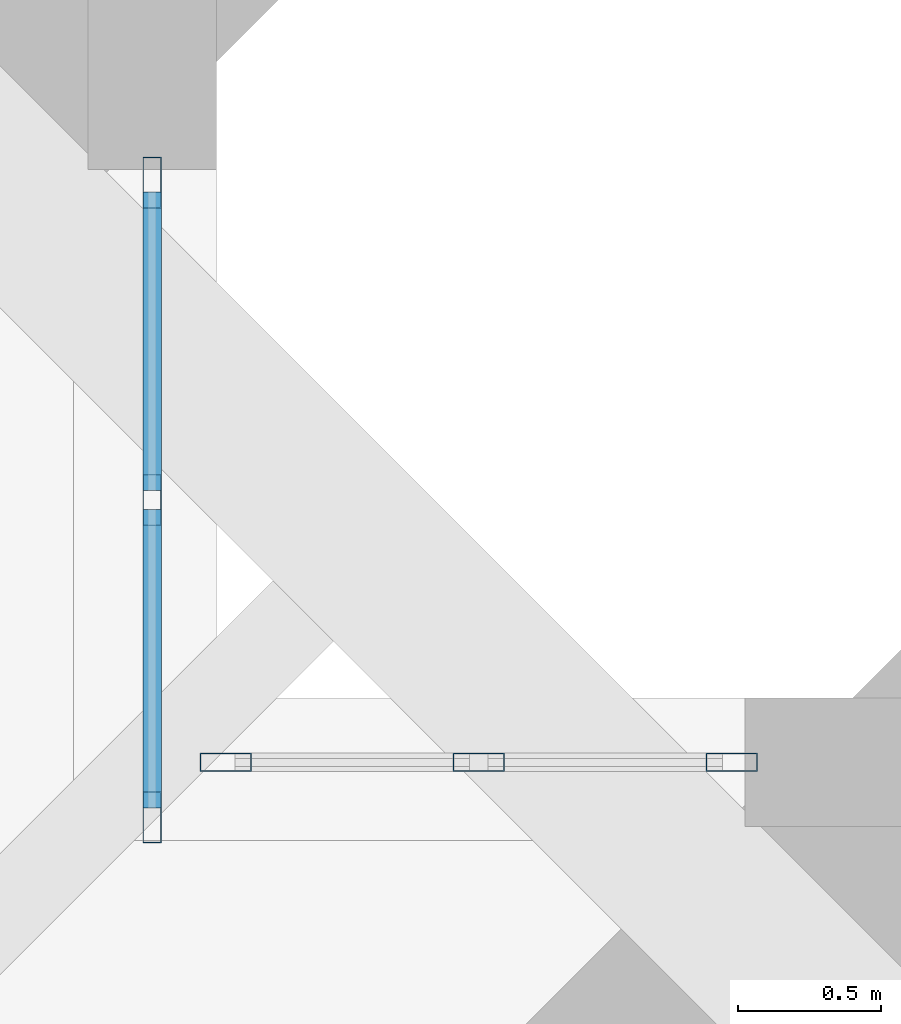
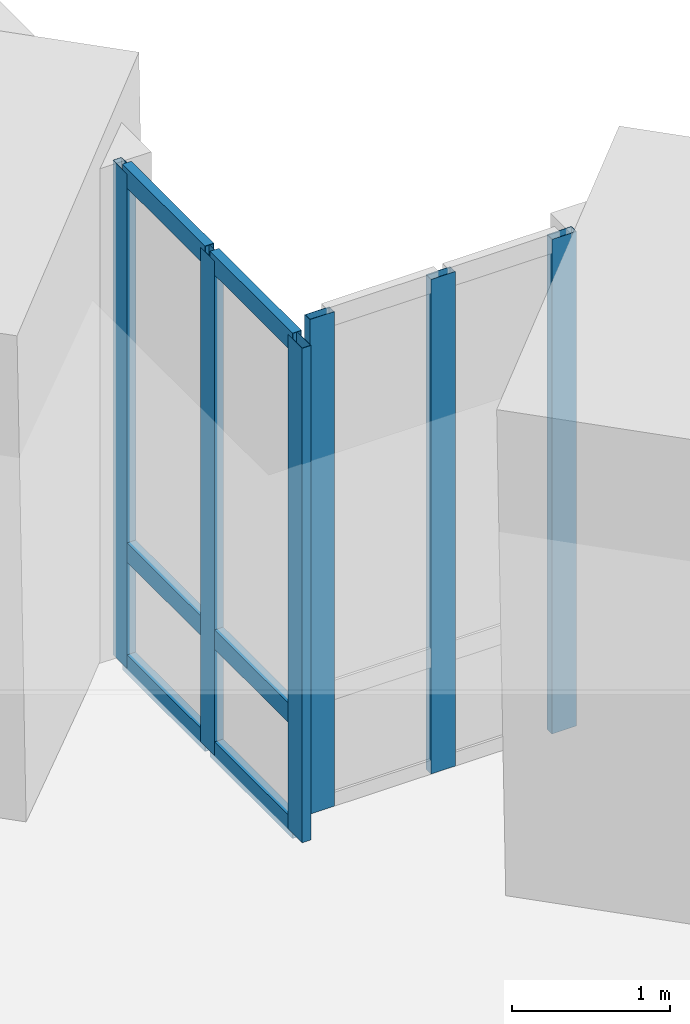
# One storey, part 8 of 15: 12 members, 2 elements without a shape of their own.
"""IFC4 building model written with IfcOpenShell, lengths in metres."""

from ifc_helpers import new_model, si_unit, direction, frame, origin, origin_2d, place, context, subcontext, project, spatial, hollow_rectangle, extrude, material, material_profile, profile_set, type_object, element, aggregate, save


model = new_model("IFC4")

# Units and contexts
model_context = context("Model", 3, precision=1e-05, world=origin(), true_north=direction((0.0, 1.0)))
body_context = subcontext(model_context, "Body", "Model", "MODEL_VIEW")
ifc_project = project(units=[si_unit("LENGTHUNIT", "METRE"), si_unit("AREAUNIT", "SQUARE_METRE"), si_unit("VOLUMEUNIT", "CUBIC_METRE"), si_unit("PLANEANGLEUNIT", "RADIAN"), si_unit("MASSUNIT", "GRAM", prefix="KILO")], contexts=[model_context])

# Site, building, storey
site_placement = place(None, origin())
site = spatial("IfcSite", under=ifc_project, at=site_placement, CompositionType="ELEMENT")
building_placement = place(site_placement, origin())
building = spatial("IfcBuilding", under=site, at=building_placement, Name="Peilmerk Tower", CompositionType="ELEMENT")
storey_placement = place(building_placement, frame((0.0, 0.0, 225.800048828125)))
storey = spatial("IfcBuildingStorey", under=building, at=storey_placement, Name="L49", CompositionType="ELEMENT", Elevation=225.800048828125)

# Curtain wall, members
ifc_material_1 = material(Name="Aluminium stick curtain wall", Category="aluminium")
curtain_wall_type = type_object("IfcCurtainWallType", Name="CW4 stick curtain wall, 2250 module", PredefinedType="NOTDEFINED", material=ifc_material_1)
curtain_wall_1_placement = place(storey_placement, origin())
curtain_wall_1 = element("IfcCurtainWall", 1, at=curtain_wall_1_placement, inside=storey, type_object=curtain_wall_type, Name="Curtain wall CW4 NEA L49", PredefinedType="NOTDEFINED")
ifc_material_2 = material(Name="Aluminium EN AW-6063 T6", Category="aluminium")
ifc_material_profile_1 = material_profile(ifc_material_2, hollow_rectangle(XDim=0.06494140625, YDim=0.179931640625, WallThickness=0.0029296875, at=origin_2d()), Name="AL 180x65x3")
ifc_profile_set_1 = profile_set([ifc_material_profile_1], Name="Aluminium EN AW-6063 T6")
member_type_1 = type_object("IfcMemberType", Name="CW4-M AL 180x65x3 mullion", PredefinedType="MULLION", material=ifc_profile_set_1)
member_1_placement = place(storey_placement, frame((18.875, 18.6826171875, 0.0), z_axis=(0.0, 0.0, 1.0), x_axis=(-1.0, 0.0, 0.0)))
member_1 = element("IfcMember", 2, at=member_1_placement, type_object=member_type_1, Name="CW4 mullion 1", PredefinedType="MULLION", context=body_context, shape_type="SweptSolid", body=[
    extrude(hollow_rectangle(XDim=0.06494140625, YDim=0.179931640625, WallThickness=0.0029296875, at=origin_2d()), origin(), (0.0, 0.0, 1.0), 3.829833984375),
])
member_2_placement = place(storey_placement, frame((18.875, 19.79443359375, 0.0), z_axis=(0.0, 0.0, 1.0), x_axis=(-1.0, 0.0, 0.0)))
member_2 = element("IfcMember", 3, at=member_2_placement, type_object=member_type_1, Name="CW4 mullion 2", PredefinedType="MULLION", context=body_context, shape_type="SweptSolid", body=[
    extrude(hollow_rectangle(XDim=0.06494140625, YDim=0.179931640625, WallThickness=0.0029296875, at=origin_2d()), origin(), (0.0, 0.0, 1.0), 3.829833984375),
])
member_3_placement = place(storey_placement, frame((18.875, 20.90625, 0.0), z_axis=(0.0, 0.0, 1.0), x_axis=(-1.0, 0.0, 0.0)))
member_3 = element("IfcMember", 4, at=member_3_placement, type_object=member_type_1, Name="CW4 mullion 3", PredefinedType="MULLION", context=body_context, shape_type="SweptSolid", body=[
    extrude(hollow_rectangle(XDim=0.06494140625, YDim=0.179931640625, WallThickness=0.0029296875, at=origin_2d()), origin(), (0.0, 0.0, 1.0), 3.829833984375),
])

curtain_wall_2_placement = place(storey_placement, origin())
curtain_wall_2 = element("IfcCurtainWall", 5, at=curtain_wall_2_placement, inside=storey, type_object=curtain_wall_type, Name="Curtain wall CW4 NEB L49", PredefinedType="NOTDEFINED")
member_4_placement = place(storey_placement, frame((19.132568359375, 18.875, 0.0), z_axis=(0.0, 0.0, 1.0), x_axis=(0.0, 1.0, 0.0)))
member_4 = element("IfcMember", 6, at=member_4_placement, type_object=member_type_1, Name="CW4 mullion 1", PredefinedType="MULLION", context=body_context, shape_type="SweptSolid", body=[
    extrude(hollow_rectangle(XDim=0.06494140625, YDim=0.179931640625, WallThickness=0.0029296875, at=origin_2d()), origin(), (0.0, 0.0, 1.0), 3.829833984375),
])
member_5_placement = place(storey_placement, frame((20.019287109375, 18.875, 0.0), z_axis=(0.0, 0.0, 1.0), x_axis=(0.0, 1.0, 0.0)))
member_5 = element("IfcMember", 7, at=member_5_placement, type_object=member_type_1, Name="CW4 mullion 2", PredefinedType="MULLION", context=body_context, shape_type="SweptSolid", body=[
    extrude(hollow_rectangle(XDim=0.06494140625, YDim=0.179931640625, WallThickness=0.0029296875, at=origin_2d()), origin(), (0.0, 0.0, 1.0), 3.829833984375),
])
member_6_placement = place(storey_placement, frame((20.90625, 18.875, 0.0), z_axis=(0.0, 0.0, 1.0), x_axis=(0.0, 1.0, 0.0)))
member_6 = element("IfcMember", 8, at=member_6_placement, type_object=member_type_1, Name="CW4 mullion 3", PredefinedType="MULLION", context=body_context, shape_type="SweptSolid", body=[
    extrude(hollow_rectangle(XDim=0.06494140625, YDim=0.179931640625, WallThickness=0.0029296875, at=origin_2d()), origin(), (0.0, 0.0, 1.0), 3.829833984375),
])
aggregate(curtain_wall_2, [member_4, member_5, member_6])

# Member
ifc_material_profile_2 = material_profile(ifc_material_2, hollow_rectangle(XDim=0.06494140625, YDim=0.14990234375, WallThickness=0.0029296875, at=origin_2d()), Name="AL 150x65x3")
ifc_profile_set_2 = profile_set([ifc_material_profile_2], Name="Aluminium EN AW-6063 T6")
member_type_2 = type_object("IfcMemberType", Name="CW4-T AL 150x65x3 transom", PredefinedType="USERDEFINED", material=ifc_profile_set_2)
member_7_placement = place(storey_placement, frame((18.875, 18.715087890625, 0.032470703125), z_axis=(0.0, 1.0, 0.0), x_axis=(-1.0, 0.0, 0.0)))
member_7 = element("IfcMember", 9, at=member_7_placement, type_object=member_type_2, Name="CW4 transom 1.1", ObjectType="TRANSOM", PredefinedType="USERDEFINED", context=body_context, shape_type="SweptSolid", body=[
    extrude(hollow_rectangle(XDim=0.06494140625, YDim=0.14990234375, WallThickness=0.0029296875, at=origin_2d()), origin(), (0.0, 0.0, 1.0), 1.046630859375),
])

member_8_placement = place(storey_placement, frame((18.875, 18.715087890625, 0.89990234375), z_axis=(0.0, 1.0, 0.0), x_axis=(-1.0, 0.0, 0.0)))
member_8 = element("IfcMember", 10, at=member_8_placement, type_object=member_type_2, Name="CW4 transom 1.2", ObjectType="TRANSOM", PredefinedType="USERDEFINED", context=body_context, shape_type="SweptSolid", body=[
    extrude(hollow_rectangle(XDim=0.06494140625, YDim=0.14990234375, WallThickness=0.0029296875, at=origin_2d()), origin(), (0.0, 0.0, 1.0), 1.046630859375),
])

member_9_placement = place(storey_placement, frame((18.875, 18.715087890625, 3.79736328125), z_axis=(0.0, 1.0, 0.0), x_axis=(-1.0, 0.0, 0.0)))
member_9 = element("IfcMember", 11, at=member_9_placement, type_object=member_type_2, Name="CW4 transom 1.3", ObjectType="TRANSOM", PredefinedType="USERDEFINED", context=body_context, shape_type="SweptSolid", body=[
    extrude(hollow_rectangle(XDim=0.06494140625, YDim=0.14990234375, WallThickness=0.0029296875, at=origin_2d()), origin(), (0.0, 0.0, 1.0), 1.046630859375),
])

member_10_placement = place(storey_placement, frame((18.875, 19.826904296875, 0.032470703125), z_axis=(0.0, 1.0, 0.0), x_axis=(-1.0, 0.0, 0.0)))
member_10 = element("IfcMember", 12, at=member_10_placement, type_object=member_type_2, Name="CW4 transom 2.1", ObjectType="TRANSOM", PredefinedType="USERDEFINED", context=body_context, shape_type="SweptSolid", body=[
    extrude(hollow_rectangle(XDim=0.06494140625, YDim=0.14990234375, WallThickness=0.0029296875, at=origin_2d()), origin(), (0.0, 0.0, 1.0), 1.046875),
])

member_11_placement = place(storey_placement, frame((18.875, 19.826904296875, 0.89990234375), z_axis=(0.0, 1.0, 0.0), x_axis=(-1.0, 0.0, 0.0)))
member_11 = element("IfcMember", 13, at=member_11_placement, type_object=member_type_2, Name="CW4 transom 2.2", ObjectType="TRANSOM", PredefinedType="USERDEFINED", context=body_context, shape_type="SweptSolid", body=[
    extrude(hollow_rectangle(XDim=0.06494140625, YDim=0.14990234375, WallThickness=0.0029296875, at=origin_2d()), origin(), (0.0, 0.0, 1.0), 1.046875),
])

member_12_placement = place(storey_placement, frame((18.875, 19.826904296875, 3.79736328125), z_axis=(0.0, 1.0, 0.0), x_axis=(-1.0, 0.0, 0.0)))
member_12 = element("IfcMember", 14, at=member_12_placement, type_object=member_type_2, Name="CW4 transom 2.3", ObjectType="TRANSOM", PredefinedType="USERDEFINED", context=body_context, shape_type="SweptSolid", body=[
    extrude(hollow_rectangle(XDim=0.06494140625, YDim=0.14990234375, WallThickness=0.0029296875, at=origin_2d()), origin(), (0.0, 0.0, 1.0), 1.046875),
])

aggregate(curtain_wall_1, [member_1, member_2, member_3, member_7, member_8, member_9, member_10, member_11, member_12])

save(model, "model.ifc")
